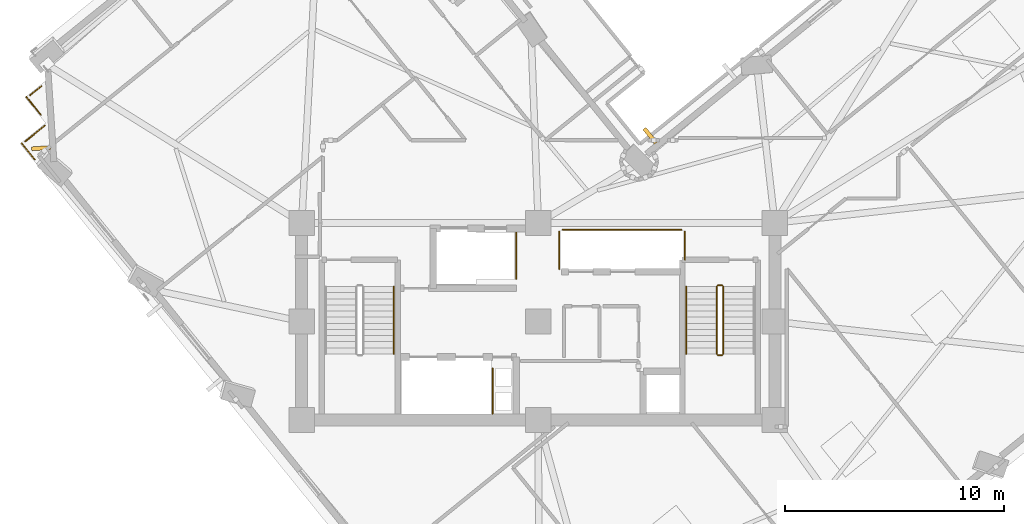
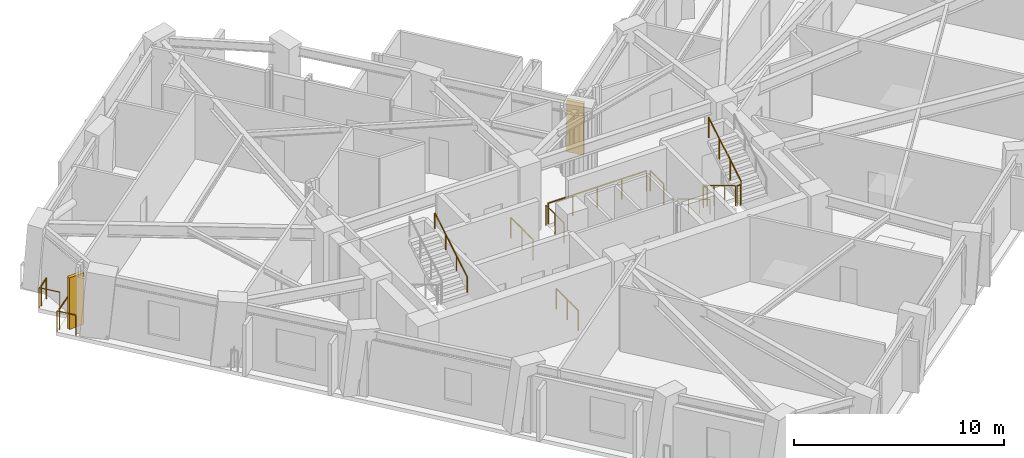
# One storey, part 11 of 14: 15 railings, 2 shading devices.
"""IFC4 building model written with IfcOpenShell, lengths in metres."""

from ifc_helpers import new_model, si_unit, direction, frame, origin, origin_2d, place, context, subcontext, project, spatial, rectangle, circle, extrude, material, layer, layer_set, type_object, element, save


model = new_model("IFC4")

# Units and contexts
model_context = context("Model", 3, precision=1e-05, world=origin(), true_north=direction((0.0, 1.0)))
body_context = subcontext(model_context, "Body", "Model", "MODEL_VIEW")
ifc_project = project(units=[si_unit("LENGTHUNIT", "METRE"), si_unit("AREAUNIT", "SQUARE_METRE"), si_unit("VOLUMEUNIT", "CUBIC_METRE"), si_unit("PLANEANGLEUNIT", "RADIAN"), si_unit("MASSUNIT", "GRAM", prefix="KILO")], contexts=[model_context])

# Site, building, storey
site_placement = place(None, origin())
site = spatial("IfcSite", under=ifc_project, at=site_placement, CompositionType="ELEMENT")
building_placement = place(site_placement, origin())
building = spatial("IfcBuilding", under=site, at=building_placement, Name="Gaonmaruhae Medical Tower", CompositionType="ELEMENT")
storey_placement = place(building_placement, frame((0.0, 0.0, 189.800048828125)))
storey = spatial("IfcBuildingStorey", under=building, at=storey_placement, Name="L45", CompositionType="ELEMENT", Elevation=189.800048828125)

# Railings
ifc_material_1 = material(Name="Stainless steel 316L and laminated safety glass", Category="steel")
ifc_layer = layer(ifc_material_1, 0.080078125)
ifc_layer_set = layer_set([ifc_layer], Name="Stainless steel 316L and laminated safety glass")
railing_type_1 = type_object("IfcRailingType", Name="GD-120 Outdoor Terrace Safety Glass & Steel Balustrade", PredefinedType="BALUSTRADE", material=ifc_layer_set)
railing_1_placement = place(storey_placement, frame((1.806640625, 19.70263671875, 0.0)))
element("IfcRailing", 1, at=railing_1_placement, inside=storey, type_object=railing_type_1, Name="L45 Perimeter Slab Edge Safety Balustrade 09", PredefinedType="BALUSTRADE", context=body_context, shape_type="SweptSolid", body=[
    extrude(circle(Radius=0.02392578125, at=origin_2d()), frame((0.0, 0.0, 1.17578125), z_axis=(-0.628728710093, 0.77762472254, 0.0), x_axis=(-0.77762472254, -0.628728710093, 0.0)), (0.0, 0.0, 1.0), 0.95751953125),
    extrude(circle(Radius=0.02099609375, at=origin_2d()), origin(), (0.0, 0.0, 1.0), 1.15185546875),
    extrude(circle(Radius=0.02099609375, at=origin_2d()), frame((-0.60205078125, 0.74462890625, 0.0)), (0.0, 0.0, 1.0), 1.15185546875),
])
railing_2_placement = place(storey_placement, frame((1.378662109375, 20.523681640625, 0.0)))
element("IfcRailing", 2, at=railing_2_placement, inside=storey, type_object=railing_type_1, Name="L45 Perimeter Slab Edge Safety Balustrade 10", PredefinedType="BALUSTRADE", context=body_context, shape_type="SweptSolid", body=[
    extrude(circle(Radius=0.02392578125, at=origin_2d()), frame((0.0, 0.0, 1.17578125), z_axis=(0.777676001528, 0.628665281885, 0.0), x_axis=(-0.628665281885, 0.777676001528, 0.0)), (0.0, 0.0, 1.0), 1.159912109375),
    extrude(circle(Radius=0.02099609375, at=origin_2d()), origin(), (0.0, 0.0, 1.0), 1.15185546875),
    extrude(circle(Radius=0.02099609375, at=origin_2d()), frame((0.902099609375, 0.729248046875, 0.0)), (0.0, 0.0, 1.0), 1.15185546875),
])
railing_3_placement = place(storey_placement, frame((2.094482421875, 21.732421875, 0.0)))
element("IfcRailing", 3, at=railing_3_placement, inside=storey, type_object=railing_type_1, Name="L45 Perimeter Slab Edge Safety Balustrade 11", PredefinedType="BALUSTRADE", context=body_context, shape_type="SweptSolid", body=[
    extrude(circle(Radius=0.02392578125, at=origin_2d()), frame((0.0, 0.0, 1.17578125), z_axis=(-0.628535443939, 0.777780943269, 0.0), x_axis=(-0.777780943269, -0.628535443939, 0.0)), (0.0, 0.0, 1.0), 1.06005859375),
    extrude(circle(Radius=0.02099609375, at=origin_2d()), origin(), (0.0, 0.0, 1.0), 1.15185546875),
    extrude(circle(Radius=0.02099609375, at=origin_2d()), frame((-0.666259765625, 0.824462890625, 0.0)), (0.0, 0.0, 1.0), 1.15185546875),
])
railing_4_placement = place(storey_placement, frame((1.602294921875, 22.633056640625, 0.0)))
element("IfcRailing", 4, at=railing_4_placement, inside=storey, type_object=railing_type_1, Name="L45 Perimeter Slab Edge Safety Balustrade 12", PredefinedType="BALUSTRADE", context=body_context, shape_type="SweptSolid", body=[
    extrude(circle(Radius=0.02392578125, at=origin_2d()), frame((0.0, 0.0, 1.17578125), z_axis=(0.777537669192, 0.628836364237, 0.0), x_axis=(-0.628836364237, 0.777537669192, 0.0)), (0.0, 0.0, 1.0), 0.659912109375),
    extrude(circle(Radius=0.02099609375, at=origin_2d()), origin(), (0.0, 0.0, 1.0), 1.15185546875),
    extrude(circle(Radius=0.02099609375, at=origin_2d()), frame((0.51318359375, 0.4150390625, 0.0)), (0.0, 0.0, 1.0), 1.15185546875),
])
ifc_material_2 = material(Name="Stainless steel 304 handrail", Category="steel")
railing_type_2 = type_object("IfcRailingType", Name="HR-092 Continuous Stainless Steel Stair Handrail", PredefinedType="HANDRAIL", material=ifc_material_2)
railing_5_placement = place(storey_placement, frame((18.199951171875, 10.820068359375, 2.16650390625)))
element("IfcRailing", 5, at=railing_5_placement, inside=storey, type_object=railing_type_2, Name="L45 ST-01 stair handrail 2", PredefinedType="HANDRAIL", context=body_context, shape_type="SweptSolid", body=[
    extrude(circle(Radius=0.02392578125, at=origin_2d()), frame((0.0, 0.0, 0.8759765625), z_axis=(0.0, 0.859260807169, 0.511537745687), x_axis=(-1.0, 0.0, 0.0)), (0.0, 0.0, 1.0), 3.584228515625),
    extrude(circle(Radius=0.02099609375, at=origin_2d()), origin(), (0.0, 0.0, 1.0), 0.851806640625),
    extrude(circle(Radius=0.02099609375, at=origin_2d()), frame((0.0, 1.026611328125, 0.611083984375)), (0.0, 0.0, 1.0), 0.851806640625),
    extrude(circle(Radius=0.02099609375, at=origin_2d()), frame((0.0, 2.05322265625, 1.222412109375)), (0.0, 0.0, 1.0), 0.851806640625),
    extrude(circle(Radius=0.02099609375, at=origin_2d()), frame((0.0, 3.079833984375, 1.83349609375)), (0.0, 0.0, 1.0), 0.851806640625),
])
railing_6_placement = place(storey_placement, frame((31.550048828125, 13.89990234375, 0.16650390625)))
element("IfcRailing", 6, at=railing_6_placement, inside=storey, type_object=railing_type_2, Name="L45 ST-02 stair handrail 1", PredefinedType="HANDRAIL", context=body_context, shape_type="SweptSolid", body=[
    extrude(circle(Radius=0.02392578125, at=origin_2d()), frame((0.0, 0.0, 0.8759765625), z_axis=(0.0, -0.859260807169, 0.511537745687), x_axis=(1.0, 0.0, 0.0)), (0.0, 0.0, 1.0), 3.584228515625),
    extrude(circle(Radius=0.02099609375, at=origin_2d()), origin(), (0.0, 0.0, 1.0), 0.851806640625),
    extrude(circle(Radius=0.02099609375, at=origin_2d()), frame((0.0, -1.026611328125, 0.611083984375)), (0.0, 0.0, 1.0), 0.851806640625),
    extrude(circle(Radius=0.02099609375, at=origin_2d()), frame((0.0, -2.05322265625, 1.222412109375)), (0.0, 0.0, 1.0), 0.851806640625),
    extrude(circle(Radius=0.02099609375, at=origin_2d()), frame((0.0, -3.079833984375, 1.83349609375)), (0.0, 0.0, 1.0), 0.851806640625),
])

# Shading devices
ifc_material_3 = material(Name="Pigmented coral precast concrete C45/55", Category="concrete")
shading_device_type = type_object("IfcShadingDeviceType", Name="SD-FIN1 Tower Vertical Coral Precast Shading Fin", PredefinedType="USERDEFINED", material=ifc_material_3)
for number, where, z_axis, x_axis, name in (
    (7, (29.910400390625, 20.782470703125, 0.132568359375), (0.0, 0.0, 1.0), (0.777694851116, 0.628641963719, 0.0), "L45 Vertical Coral Precast Shading Fin EN03"),
    (8, (2.09521484375, 20.21435546875, 0.132568359375), (0.0, 0.0, 1.0), (-0.065107055653, 0.997878284814, 0.0), "L45 Vertical Coral Precast Shading Fin N03"),
):
    element("IfcShadingDevice", number, at=place(storey_placement, frame(where, z_axis=z_axis, x_axis=x_axis)), inside=storey, type_object=shading_device_type, Name=name, ObjectType="FIN", PredefinedType="USERDEFINED", context=body_context, shape_type="SweptSolid", body=[
        extrude(rectangle(XDim=0.179931640625, YDim=0.85009765625, at=origin_2d()), origin(), (0.0, 0.0, 1.0), 3.0),
    ])

# Railings
ifc_material_4 = material(Name="Stainless steel 304 balustrade", Category="steel")
railing_type_3 = type_object("IfcRailingType", Name="SG-112 Stair Well & Ramp Void Safety Balustrade", PredefinedType="BALUSTRADE", material=ifc_material_4)
railing_7_placement = place(storey_placement, frame((32.949951171875, 13.89990234375, 0.16650390625)))
element("IfcRailing", 9, at=railing_7_placement, inside=storey, type_object=railing_type_3, Name="L45 ST-02 stair guard 1", PredefinedType="BALUSTRADE", context=body_context, shape_type="SweptSolid", body=[
    extrude(circle(Radius=0.02392578125, at=origin_2d()), frame((0.0, 0.0, 1.17578125), z_axis=(0.0, -0.859260807169, 0.511537745687), x_axis=(1.0, 0.0, 0.0)), (0.0, 0.0, 1.0), 3.584228515625),
    extrude(circle(Radius=0.02099609375, at=origin_2d()), origin(), (0.0, 0.0, 1.0), 1.15185546875),
    extrude(circle(Radius=0.02099609375, at=origin_2d()), frame((0.0, -1.026611328125, 0.611083984375)), (0.0, 0.0, 1.0), 1.15185546875),
    extrude(circle(Radius=0.02099609375, at=origin_2d()), frame((0.0, -2.05322265625, 1.222412109375)), (0.0, 0.0, 1.0), 1.15185546875),
    extrude(circle(Radius=0.02099609375, at=origin_2d()), frame((0.0, -3.079833984375, 1.83349609375)), (0.0, 0.0, 1.0), 1.15185546875),
])
railing_8_placement = place(storey_placement, frame((33.0, 10.77001953125, 2.0)))
element("IfcRailing", 10, at=railing_8_placement, inside=storey, type_object=railing_type_3, Name="L45 ST-02 stair guard 2", PredefinedType="BALUSTRADE", context=body_context, shape_type="SweptSolid", body=[
    extrude(circle(Radius=0.02392578125, at=origin_2d()), frame((0.0, 0.0, 1.17578125), z_axis=(1.0, 0.0, 0.0), x_axis=(0.0, 1.0, 0.0)), (0.0, 0.0, 1.0), 0.199951171875),
    extrude(circle(Radius=0.02099609375, at=origin_2d()), origin(), (0.0, 0.0, 1.0), 1.15185546875),
    extrude(circle(Radius=0.02099609375, at=origin_2d()), frame((0.199951171875, 0.0, 0.0)), (0.0, 0.0, 1.0), 1.15185546875),
])
railing_9_placement = place(storey_placement, frame((33.25, 10.820068359375, 2.16650390625)))
element("IfcRailing", 11, at=railing_9_placement, inside=storey, type_object=railing_type_3, Name="L45 ST-02 stair guard 3", PredefinedType="BALUSTRADE", context=body_context, shape_type="SweptSolid", body=[
    extrude(circle(Radius=0.02392578125, at=origin_2d()), frame((0.0, 0.0, 1.17578125), z_axis=(0.0, 0.859260807169, 0.511537745687), x_axis=(-1.0, 0.0, 0.0)), (0.0, 0.0, 1.0), 3.584228515625),
    extrude(circle(Radius=0.02099609375, at=origin_2d()), origin(), (0.0, 0.0, 1.0), 1.15185546875),
    extrude(circle(Radius=0.02099609375, at=origin_2d()), frame((0.0, 1.026611328125, 0.611083984375)), (0.0, 0.0, 1.0), 1.15185546875),
    extrude(circle(Radius=0.02099609375, at=origin_2d()), frame((0.0, 2.05322265625, 1.222412109375)), (0.0, 0.0, 1.0), 1.15185546875),
    extrude(circle(Radius=0.02099609375, at=origin_2d()), frame((0.0, 3.079833984375, 1.83349609375)), (0.0, 0.0, 1.0), 1.15185546875),
])
railing_10_placement = place(storey_placement, frame((33.0, 13.949951171875, 0.0)))
element("IfcRailing", 12, at=railing_10_placement, inside=storey, type_object=railing_type_3, Name="L45 ST-02 stair guard 4", PredefinedType="BALUSTRADE", context=body_context, shape_type="SweptSolid", body=[
    extrude(circle(Radius=0.02392578125, at=origin_2d()), frame((0.0, 0.0, 1.17578125), z_axis=(1.0, 0.0, 0.0), x_axis=(0.0, 1.0, 0.0)), (0.0, 0.0, 1.0), 0.199951171875),
    extrude(circle(Radius=0.02099609375, at=origin_2d()), origin(), (0.0, 0.0, 1.0), 1.15185546875),
    extrude(circle(Radius=0.02099609375, at=origin_2d()), frame((0.199951171875, 0.0, 0.0)), (0.0, 0.0, 1.0), 1.15185546875),
])
railing_11_placement = place(storey_placement, frame((22.719970703125, 10.159912109375, 0.0)))
element("IfcRailing", 13, at=railing_11_placement, inside=storey, type_object=railing_type_3, Name="L45 Shaft Edge Safety Guard 20", PredefinedType="BALUSTRADE", context=body_context, shape_type="SweptSolid", body=[
    extrude(circle(Radius=0.02392578125, at=origin_2d()), frame((0.0, 0.0, 1.17578125), z_axis=(0.0, -1.0, 0.0), x_axis=(1.0, 0.0, 0.0)), (0.0, 0.0, 1.0), 2.06494140625),
    extrude(circle(Radius=0.02099609375, at=origin_2d()), origin(), (0.0, 0.0, 1.0), 1.15185546875),
    extrude(circle(Radius=0.02099609375, at=origin_2d()), frame((0.0, -1.032470703125, 0.0)), (0.0, 0.0, 1.0), 1.15185546875),
    extrude(circle(Radius=0.02099609375, at=origin_2d()), frame((0.0, -2.06494140625, 0.0)), (0.0, 0.0, 1.0), 1.15185546875),
])
railing_12_placement = place(storey_placement, frame((23.794921875, 16.35498046875, 0.0)))
element("IfcRailing", 14, at=railing_12_placement, inside=storey, type_object=railing_type_3, Name="L45 Shaft Edge Safety Guard 21", PredefinedType="BALUSTRADE", context=body_context, shape_type="SweptSolid", body=[
    extrude(circle(Radius=0.02392578125, at=origin_2d()), frame((0.0, 0.0, 1.17578125), z_axis=(0.0, -1.0, 0.0), x_axis=(1.0, 0.0, 0.0)), (0.0, 0.0, 1.0), 2.10986328125),
    extrude(circle(Radius=0.02099609375, at=origin_2d()), origin(), (0.0, 0.0, 1.0), 1.15185546875),
    extrude(circle(Radius=0.02099609375, at=origin_2d()), frame((0.0, -1.054931640625, 0.0)), (0.0, 0.0, 1.0), 1.15185546875),
    extrude(circle(Radius=0.02099609375, at=origin_2d()), frame((0.0, -2.10986328125, 0.0)), (0.0, 0.0, 1.0), 1.15185546875),
])
railing_13_placement = place(storey_placement, frame((31.4951171875, 16.405029296875, 0.0)))
element("IfcRailing", 15, at=railing_13_placement, inside=storey, type_object=railing_type_3, Name="L45 Shaft Edge Safety Guard 22", PredefinedType="BALUSTRADE", context=body_context, shape_type="SweptSolid", body=[
    extrude(circle(Radius=0.02392578125, at=origin_2d()), frame((0.0, 0.0, 1.17578125), z_axis=(0.0, -1.0, 0.0), x_axis=(1.0, 0.0, 0.0)), (0.0, 0.0, 1.0), 1.284912109375),
    extrude(circle(Radius=0.02099609375, at=origin_2d()), origin(), (0.0, 0.0, 1.0), 1.15185546875),
    extrude(circle(Radius=0.02099609375, at=origin_2d()), frame((0.0, -1.284912109375, 0.0)), (0.0, 0.0, 1.0), 1.15185546875),
])
railing_14_placement = place(storey_placement, frame((25.7548828125, 14.695068359375, 0.0)))
element("IfcRailing", 16, at=railing_14_placement, inside=storey, type_object=railing_type_3, Name="L45 Shaft Edge Safety Guard 23", PredefinedType="BALUSTRADE", context=body_context, shape_type="SweptSolid", body=[
    extrude(circle(Radius=0.02392578125, at=origin_2d()), frame((0.0, 0.0, 1.17578125), z_axis=(0.0, 1.0, 0.0), x_axis=(-1.0, 0.0, 0.0)), (0.0, 0.0, 1.0), 1.7099609375),
    extrude(circle(Radius=0.02099609375, at=origin_2d()), origin(), (0.0, 0.0, 1.0), 1.15185546875),
    extrude(circle(Radius=0.02099609375, at=origin_2d()), frame((0.0, 0.85498046875, 0.0)), (0.0, 0.0, 1.0), 1.15185546875),
    extrude(circle(Radius=0.02099609375, at=origin_2d()), frame((0.0, 1.7099609375, 0.0)), (0.0, 0.0, 1.0), 1.15185546875),
])
railing_15_placement = place(storey_placement, frame((25.919921875, 16.4951171875, 0.0)))
element("IfcRailing", 17, at=railing_15_placement, inside=storey, type_object=railing_type_3, Name="L45 Shaft Edge Safety Guard 24", PredefinedType="BALUSTRADE", context=body_context, shape_type="SweptSolid", body=[
    extrude(circle(Radius=0.02392578125, at=origin_2d()), frame((0.0, 0.0, 1.17578125), z_axis=(1.0, 0.0, 0.0), x_axis=(0.0, 1.0, 0.0)), (0.0, 0.0, 1.0), 5.41015625),
    extrude(circle(Radius=0.02099609375, at=origin_2d()), origin(), (0.0, 0.0, 1.0), 1.15185546875),
    extrude(circle(Radius=0.02099609375, at=origin_2d()), frame((1.3525390625, 0.0, 0.0)), (0.0, 0.0, 1.0), 1.15185546875),
    extrude(circle(Radius=0.02099609375, at=origin_2d()), frame((2.705078125, 0.0, 0.0)), (0.0, 0.0, 1.0), 1.15185546875),
    extrude(circle(Radius=0.02099609375, at=origin_2d()), frame((4.0576171875, 0.0, 0.0)), (0.0, 0.0, 1.0), 1.15185546875),
    extrude(circle(Radius=0.02099609375, at=origin_2d()), frame((5.41015625, 0.0, 0.0)), (0.0, 0.0, 1.0), 1.15185546875),
])

save(model, "model.ifc")
